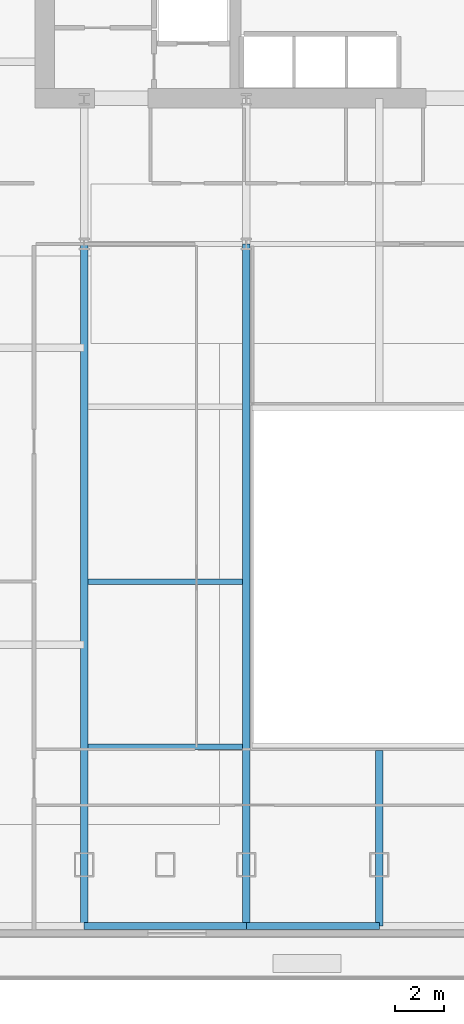
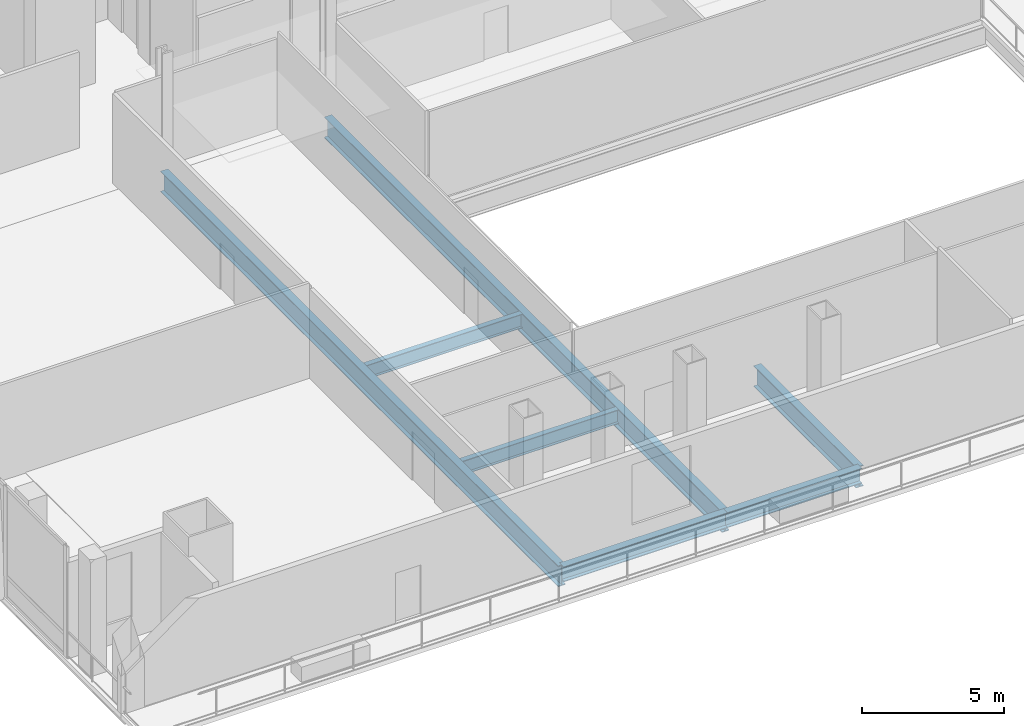
# One storey, part 7 of 25: 7 beams.
"""IFC4 building model written with IfcOpenShell, lengths in metres."""

from ifc_helpers import new_model, si_unit, direction, frame, origin, origin_2d, place, context, subcontext, project, spatial, i_section, extrude, material, material_profile, profile_set, type_object, element, save


model = new_model("IFC4")

# Units and contexts
model_context = context("Model", 3, precision=1e-05, world=origin(), true_north=direction((0.0, 1.0)))
body_context = subcontext(model_context, "Body", "Model", "MODEL_VIEW")
ifc_project = project(units=[si_unit("LENGTHUNIT", "METRE"), si_unit("AREAUNIT", "SQUARE_METRE"), si_unit("VOLUMEUNIT", "CUBIC_METRE"), si_unit("PLANEANGLEUNIT", "RADIAN"), si_unit("MASSUNIT", "GRAM", prefix="KILO")], contexts=[model_context])

# Site, building, storey
site_placement = place(None, origin())
site = spatial("IfcSite", under=ifc_project, at=site_placement, CompositionType="ELEMENT")
building_placement = place(site_placement, origin())
building = spatial("IfcBuilding", under=site, at=building_placement, Name="Khoronbel Lancet Exchange", CompositionType="ELEMENT")
storey_placement = place(building_placement, frame((0.0, 0.0, 10.39990234375)))
storey = spatial("IfcBuildingStorey", under=building, at=storey_placement, Name="L02", CompositionType="ELEMENT", Elevation=10.39990234375)

# Beams
ifc_material = material(Name="Steel S355", Category="steel")
ifc_material_profile_1 = material_profile(ifc_material, i_section(OverallWidth=0.300048828125, OverallDepth=0.89990234375, WebThickness=0.0185546875, FlangeThickness=0.034912109375, at=origin_2d()), Name="HEB 900")
ifc_profile_set_1 = profile_set([ifc_material_profile_1], Name="Steel S355")
beam_type_1 = type_object("IfcBeamType", Name="BM-BG1", PredefinedType="BEAM", material=ifc_profile_set_1)
for number, where, z_axis, x_axis, name in (
    (1, (18.22509765625, 7.6201171875, -0.64990234375), (0.0, 1.0, 0.0), (-1.0, 0.0, 0.0), "Level L02 south primary girder GS1"),
    (2, (24.89990234375, 7.6201171875, -0.64990234375), (0.0, 1.0, 0.0), (-1.0, 0.0, 0.0), "Level L02 south primary girder GS2"),
):
    element("IfcBeam", number, at=place(storey_placement, frame(where, z_axis=z_axis, x_axis=x_axis)), inside=storey, type_object=beam_type_1, Name=name, PredefinedType="BEAM", context=body_context, shape_type="SweptSolid", body=[
        extrude(i_section(OverallWidth=0.300048828125, OverallDepth=0.89990234375, WebThickness=0.0185546875, FlangeThickness=0.034912109375, at=origin_2d()), origin(), (0.0, 0.0, 1.0), 28.079833984375),
    ])
beam_1_placement = place(storey_placement, frame((30.375, 7.6201171875, -0.64990234375), z_axis=(0.0, 1.0, 0.0), x_axis=(-1.0, 0.0, 0.0)))
element("IfcBeam", 3, at=beam_1_placement, inside=storey, type_object=beam_type_1, Name="Level L02 south gallery & terrace cantilever girder GS3", PredefinedType="BEAM", context=body_context, shape_type="SweptSolid", body=[
    extrude(i_section(OverallWidth=0.300048828125, OverallDepth=0.89990234375, WebThickness=0.0185546875, FlangeThickness=0.034912109375, at=origin_2d()), origin(), (0.0, 0.0, 1.0), 7.22998046875),
])
ifc_material_profile_2 = material_profile(ifc_material, i_section(OverallWidth=0.219970703125, OverallDepth=0.60009765625, WebThickness=0.011962890625, FlangeThickness=0.01904296875, at=origin_2d()), Name="IPE 600")
ifc_profile_set_2 = profile_set([ifc_material_profile_2], Name="Steel S355")
beam_type_2 = type_object("IfcBeamType", Name="BM-BJ1", PredefinedType="JOIST", material=ifc_profile_set_2)
for number, where, z_axis, x_axis, name in (
    (4, (18.375, 15.0, -0.5), (1.0, 0.0, 0.0), (0.0, 1.0, 0.0), "Level L02 secondary composite joist J01"),
    (5, (18.375, 21.800048828125, -0.5), (1.0, 0.0, 0.0), (0.0, 1.0, 0.0), "Level L02 secondary composite joist J03"),
):
    element("IfcBeam", number, at=place(storey_placement, frame(where, z_axis=z_axis, x_axis=x_axis)), inside=storey, type_object=beam_type_2, Name=name, PredefinedType="JOIST", context=body_context, shape_type="SweptSolid", body=[
        extrude(i_section(OverallWidth=0.219970703125, OverallDepth=0.60009765625, WebThickness=0.011962890625, FlangeThickness=0.01904296875, at=origin_2d()), origin(), (0.0, 0.0, 1.0), 6.375),
    ])
ifc_material_profile_3 = material_profile(ifc_material, i_section(OverallWidth=0.300048828125, OverallDepth=0.64990234375, WebThickness=0.01611328125, FlangeThickness=0.031005859375, at=origin_2d()), Name="HEB 650")
ifc_profile_set_3 = profile_set([ifc_material_profile_3], Name="Steel S355")
beam_type_3 = type_object("IfcBeamType", Name="BM-BSP1", PredefinedType="SPANDREL", material=ifc_profile_set_3)
beam_2_placement = place(storey_placement, frame((18.22509765625, 7.6201171875, -0.52490234375), z_axis=(1.0, 0.0, 0.0), x_axis=(0.0, 1.0, 0.0)))
element("IfcBeam", 6, at=beam_2_placement, inside=storey, type_object=beam_type_3, Name="Level L02 perimeter spandrel beam SP02", PredefinedType="SPANDREL", context=body_context, shape_type="SweptSolid", body=[
    extrude(i_section(OverallWidth=0.300048828125, OverallDepth=0.64990234375, WebThickness=0.01611328125, FlangeThickness=0.031005859375, at=origin_2d()), origin(), (0.0, 0.0, 1.0), 6.6748046875),
])
beam_3_placement = place(storey_placement, frame((24.89990234375, 7.6201171875, -0.52490234375), z_axis=(1.0, 0.0, 0.0), x_axis=(0.0, 1.0, 0.0)))
element("IfcBeam", 7, at=beam_3_placement, inside=storey, type_object=beam_type_3, Name="Level L02 perimeter spandrel beam SP03", PredefinedType="SPANDREL", context=body_context, shape_type="SweptSolid", body=[
    extrude(i_section(OverallWidth=0.300048828125, OverallDepth=0.64990234375, WebThickness=0.01611328125, FlangeThickness=0.031005859375, at=origin_2d()), origin(), (0.0, 0.0, 1.0), 5.47509765625),
])

save(model, "model.ifc")
